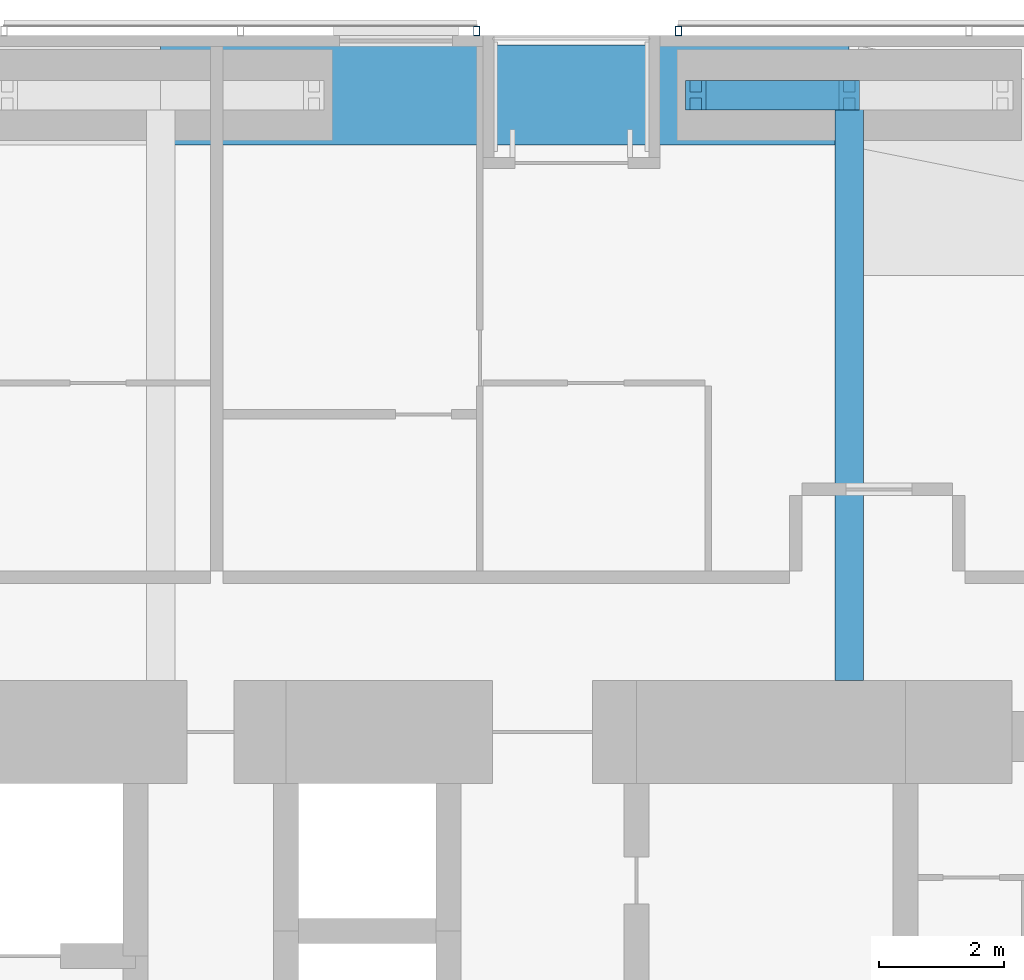
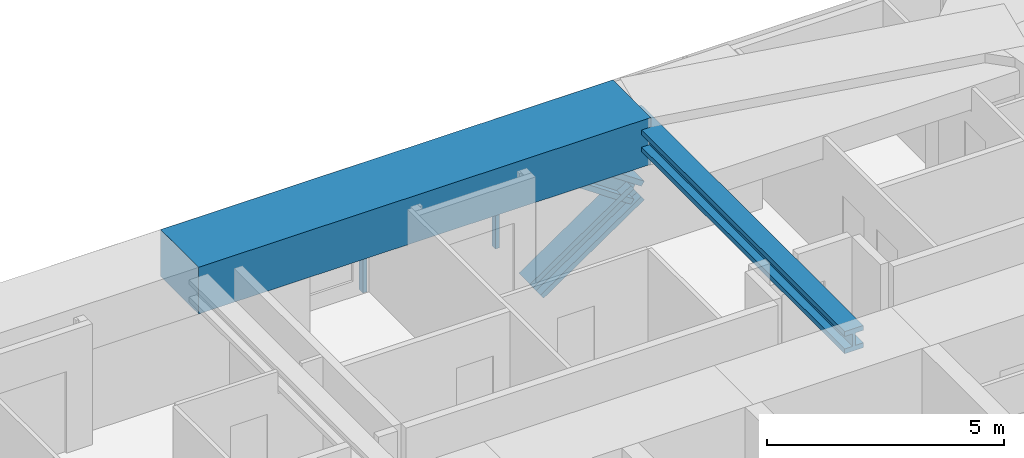
# One storey, part 12 of 22: 4 members, 2 beams, 2 elements without a shape of their own.
"""IFC4 building model written with IfcOpenShell, lengths in metres."""

from ifc_helpers import new_model, si_unit, direction, frame, origin, origin_2d, place, context, subcontext, project, spatial, rectangle, hollow_rectangle, i_section, extrude, material, material_profile, profile_set, type_object, element, aggregate, save


model = new_model("IFC4")

# Units and contexts
model_context = context("Model", 3, precision=1e-05, world=origin(), true_north=direction((0.0, 1.0)))
body_context = subcontext(model_context, "Body", "Model", "MODEL_VIEW")
ifc_project = project(units=[si_unit("LENGTHUNIT", "METRE"), si_unit("AREAUNIT", "SQUARE_METRE"), si_unit("VOLUMEUNIT", "CUBIC_METRE"), si_unit("PLANEANGLEUNIT", "RADIAN"), si_unit("MASSUNIT", "GRAM", prefix="KILO")], contexts=[model_context])

# Site, building, storey
site_placement = place(None, origin())
site = spatial("IfcSite", under=ifc_project, at=site_placement, CompositionType="ELEMENT")
building_placement = place(site_placement, origin())
building = spatial("IfcBuilding", under=site, at=building_placement, Name="Jalousie Tower", CompositionType="ELEMENT")
storey_placement = place(building_placement, frame((0.0, 0.0, 64.550048828125)))
storey = spatial("IfcBuildingStorey", under=building, at=storey_placement, Name="L17", CompositionType="ELEMENT", Elevation=64.550048828125)

# Beam
ifc_material_1 = material(Name="Steel ASTM A992 Grade 50", Category="steel")
ifc_material_profile_1 = material_profile(ifc_material_1, i_section(OverallWidth=0.45458984375, OverallDepth=0.569091796875, WebThickness=0.077880859375, FlangeThickness=0.124755859375, at=origin_2d()), Name="W14X730")
ifc_profile_set_1 = profile_set([ifc_material_profile_1], Name="Steel ASTM A992 Grade 50")
beam_type_1 = type_object("IfcBeamType", Name="LEAN COLLECTOR W14X730", PredefinedType="BEAM", material=ifc_profile_set_1)
beam_1_placement = place(storey_placement, frame((35.0, 37.050048828125, 2.825439453125), z_axis=(0.0, -1.0, 0.0), x_axis=(1.0, 0.0, 0.0)))
element("IfcBeam", 1, at=beam_1_placement, inside=storey, type_object=beam_type_1, Name="Lean collector under L18", PredefinedType="BEAM", context=body_context, shape_type="SweptSolid", body=[
    extrude(i_section(OverallWidth=0.45458984375, OverallDepth=0.569091796875, WebThickness=0.077880859375, FlangeThickness=0.124755859375, at=origin_2d()), origin(), (0.0, 0.0, 1.0), 9.35009765625),
])

# Members
ifc_material_2 = material(Name="Steel ASTM A992 Grade 50", Category="steel")
ifc_material_profile_2 = material_profile(ifc_material_2, i_section(OverallWidth=0.472412109375, OverallDepth=0.5791015625, WebThickness=0.094970703125, FlangeThickness=0.1298828125, at=origin_2d()), Name="W14X808")
ifc_profile_set_2 = profile_set([ifc_material_profile_2], Name="Steel ASTM A992 Grade 50")
member_type_1 = type_object("IfcMemberType", Name="PERIMETER BRACE W14X808", PredefinedType="BRACE", material=ifc_profile_set_2)
for number, where, z_axis, x_axis, name in (
    (2, (32.550048828125, 37.050048828125, -0.60009765625), (0.825500916831, 0.0, 0.564400776321), (0.0, 1.0, 0.0), "Perimeter brace 09 L17 part 1"),
    (3, (35.0, 37.050048828125, 1.074951171875), (-0.825500916831, 0.0, 0.564400776321), (0.0, -1.0, 0.0), "Perimeter brace 09 L17 part 4"),
):
    element("IfcMember", number, at=place(storey_placement, frame(where, z_axis=z_axis, x_axis=x_axis)), inside=storey, type_object=member_type_1, Name=name, PredefinedType="BRACE", context=body_context, shape_type="SweptSolid", body=[
        extrude(i_section(OverallWidth=0.472412109375, OverallDepth=0.5791015625, WebThickness=0.094970703125, FlangeThickness=0.1298828125, at=origin_2d()), origin(), (0.0, 0.0, 1.0), 2.9677734375),
    ])

# Beam
ifc_material_3 = material(Name="Concrete f'c 40 MPa", Category="concrete")
ifc_material_profile_3 = material_profile(ifc_material_3, rectangle(XDim=1.60009765625, YDim=1.199951171875, at=origin_2d()), Name="RC 1600x1200")
ifc_profile_set_3 = profile_set([ifc_material_profile_3], Name="Concrete f'c 40 MPa")
beam_type_2 = type_object("IfcBeamType", Name="RC BEAM 1600x1200", PredefinedType="BEAM", material=ifc_profile_set_3)
beam_2_placement = place(storey_placement, frame((35.0, 37.050048828125, 2.75), z_axis=(-1.0, 0.0, 0.0), x_axis=(0.0, -1.0, 0.0)))
element("IfcBeam", 4, at=beam_2_placement, inside=storey, type_object=beam_type_2, Name="Edge band beam 09-10 under L18", PredefinedType="BEAM", context=body_context, shape_type="SweptSolid", body=[
    extrude(rectangle(XDim=1.60009765625, YDim=1.199951171875, at=origin_2d()), origin(), (0.0, 0.0, 1.0), 11.0),
])

# Curtain wall, member
ifc_material_4 = material(Name="Perforated aluminium sheet", Category="aluminium")
curtain_wall_type = type_object("IfcCurtainWallType", Name="SOLAR SCREEN SS-1", PredefinedType="USERDEFINED", material=ifc_material_4)
curtain_wall_1_placement = place(storey_placement, origin())
curtain_wall_1 = element("IfcCurtainWall", 5, at=curtain_wall_1_placement, inside=storey, type_object=curtain_wall_type, Name="Solar screen L17", ObjectType="SOLAR SCREEN SS-1", PredefinedType="USERDEFINED")
ifc_material_5 = material(Name="Steel ASTM A500 Grade C", Category="steel")
ifc_material_profile_4 = material_profile(ifc_material_5, hollow_rectangle(XDim=0.1015625, YDim=0.15234375, WallThickness=0.00634765625, at=origin_2d()), Name="HSS6X4X1/4")
ifc_profile_set_4 = profile_set([ifc_material_profile_4], Name="Steel ASTM A500 Grade C")
member_type_2 = type_object("IfcMemberType", Name="SOLAR SCREEN SS-1 MULLION", PredefinedType="MULLION", material=ifc_profile_set_4)
member_1_placement = place(storey_placement, frame((32.27490234375, 38.0712890625, -0.1201171875), z_axis=(0.0, 0.0, 1.0), x_axis=(-1.0, 0.0, 0.0)))
member_1 = element("IfcMember", 6, at=member_1_placement, type_object=member_type_2, Name="SS1 post 3", PredefinedType="MULLION", context=body_context, shape_type="SweptSolid", body=[
    extrude(hollow_rectangle(XDim=0.1015625, YDim=0.15234375, WallThickness=0.00634765625, at=origin_2d()), origin(), (0.0, 0.0, 1.0), 3.22998046875),
])
aggregate(curtain_wall_1, [member_1])

curtain_wall_2_placement = place(storey_placement, origin())
curtain_wall_2 = element("IfcCurtainWall", 7, at=curtain_wall_2_placement, inside=storey, type_object=curtain_wall_type, Name="Solar screen L17", ObjectType="SOLAR SCREEN SS-1", PredefinedType="USERDEFINED")
member_2_placement = place(storey_placement, frame((29.050048828125, 38.0712890625, -0.1201171875), z_axis=(0.0, 0.0, 1.0), x_axis=(-1.0, 0.0, 0.0)))
member_2 = element("IfcMember", 8, at=member_2_placement, type_object=member_type_2, Name="SS1 post 1", PredefinedType="MULLION", context=body_context, shape_type="SweptSolid", body=[
    extrude(hollow_rectangle(XDim=0.1015625, YDim=0.15234375, WallThickness=0.00634765625, at=origin_2d()), origin(), (0.0, 0.0, 1.0), 3.22998046875),
])
aggregate(curtain_wall_2, [member_2])

save(model, "model.ifc")
